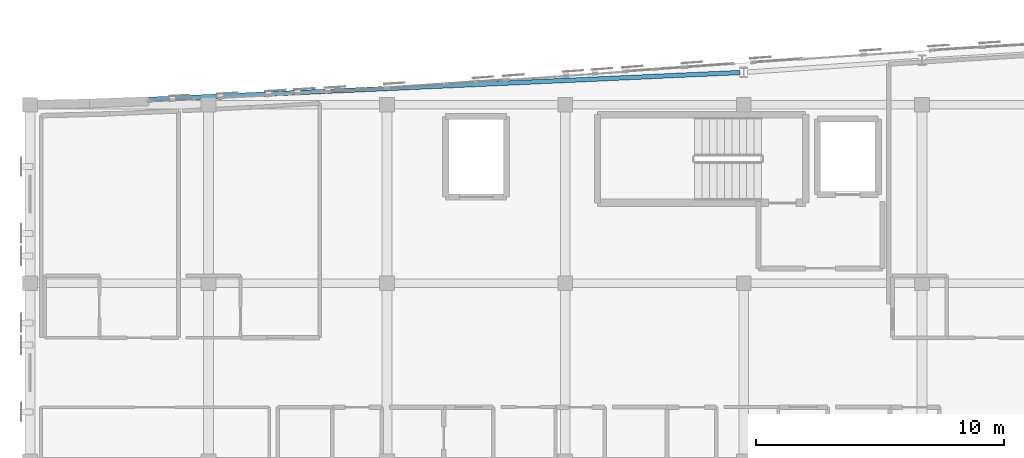
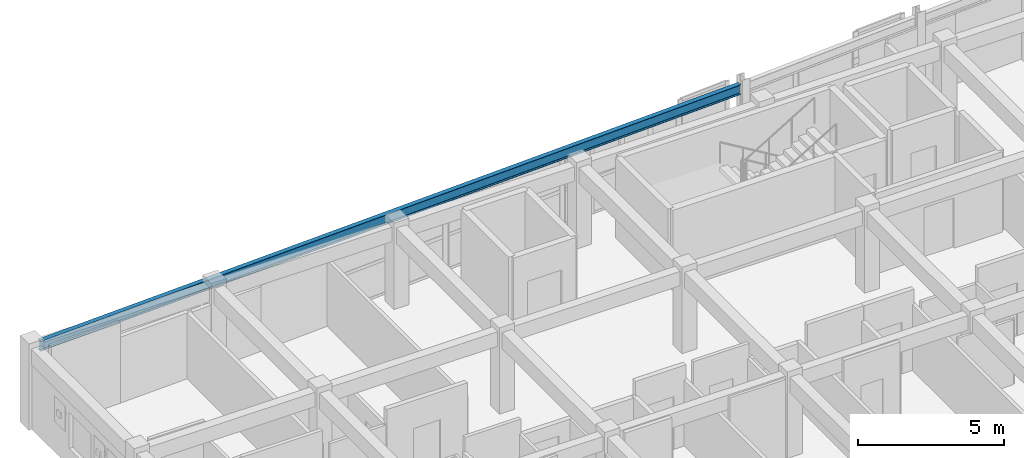
# One storey, part 7 of 51: 1 beam.
"""IFC4 building model written with IfcOpenShell, lengths in metres."""

from ifc_helpers import new_model, si_unit, direction, frame, origin, origin_2d, place, context, subcontext, project, spatial, i_section, extrude, material, material_profile, profile_set, type_object, element, save


model = new_model("IFC4")

# Units and contexts
model_context = context("Model", 3, precision=1e-05, world=origin(), true_north=direction((0.0, 1.0)))
body_context = subcontext(model_context, "Body", "Model", "MODEL_VIEW")
ifc_project = project(units=[si_unit("LENGTHUNIT", "METRE"), si_unit("AREAUNIT", "SQUARE_METRE"), si_unit("VOLUMEUNIT", "CUBIC_METRE"), si_unit("PLANEANGLEUNIT", "RADIAN"), si_unit("MASSUNIT", "GRAM", prefix="KILO")], contexts=[model_context])

# Site, building, storey
site_placement = place(None, origin())
site = spatial("IfcSite", under=ifc_project, at=site_placement, CompositionType="ELEMENT")
building_placement = place(site_placement, origin())
building = spatial("IfcBuilding", under=site, at=building_placement, Name="Carrowvane Square Congress Hotel", CompositionType="ELEMENT")
storey_placement = place(building_placement, frame((0.0, 0.0, 30.0)))
storey = spatial("IfcBuildingStorey", under=building, at=storey_placement, Name="L07", CompositionType="ELEMENT", Elevation=30.0)

# Beam
ifc_material = material(Name="Steel S355", Category="steel")
ifc_material_profile = material_profile(ifc_material, i_section(OverallWidth=0.1787109375, OverallDepth=0.409423828125, WebThickness=0.0087890625, FlangeThickness=0.014404296875, FilletRadius=0.01025390625, at=origin_2d()), Name="UKB 406x178x67")
ifc_profile_set = profile_set([ifc_material_profile], Name="Steel S355")
beam_type = type_object("IfcBeamType", Name="BM-ST-UKB406", PredefinedType="BEAM", material=ifc_profile_set)
beam_placement = place(storey_placement, frame((33.499755859375, 113.41357421875, 3.1552734375), z_axis=(0.998973341492, 0.045301909323, 0.0), x_axis=(-0.045301909323, 0.998973341492, 0.0)))
element("IfcBeam", 1, at=beam_placement, inside=storey, type_object=beam_type, Name="L08 curved north spandrel", PredefinedType="BEAM", context=body_context, shape_type="SweptSolid", body=[
    extrude(i_section(OverallWidth=0.1787109375, OverallDepth=0.409423828125, WebThickness=0.0087890625, FlangeThickness=0.014404296875, FilletRadius=0.01025390625, at=origin_2d()), origin(), (0.0, 0.0, 1.0), 28.37939453125),
])

save(model, "model.ifc")
